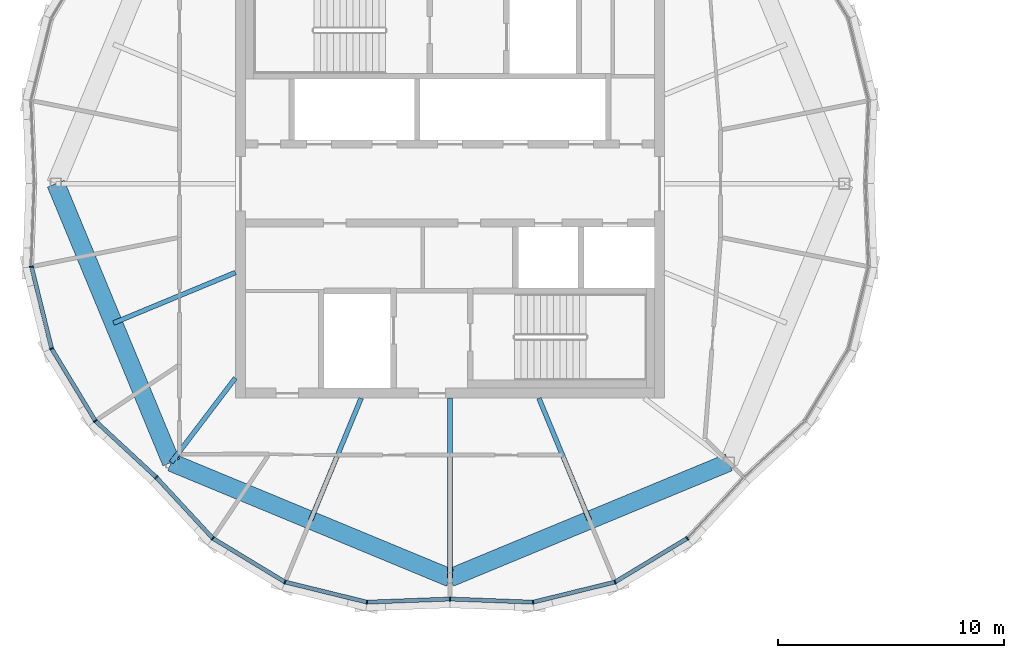
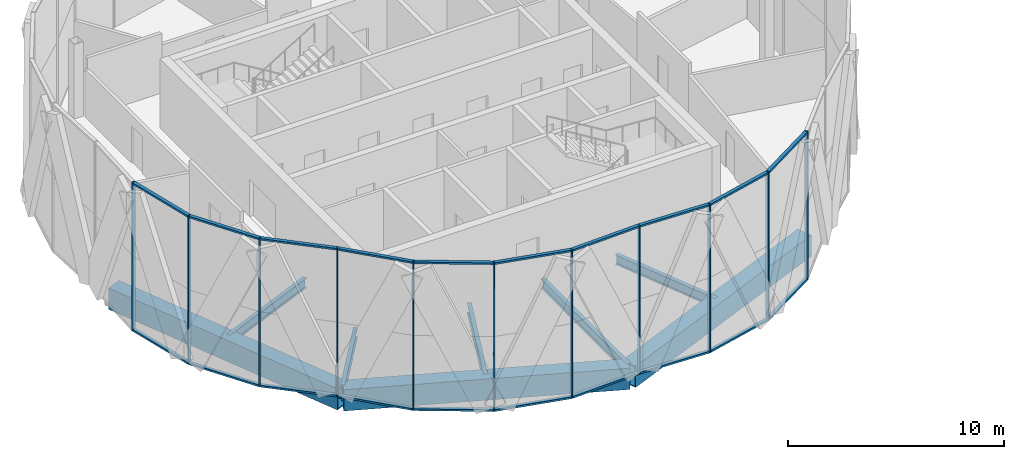
# One storey, part 3 of 22: 31 members, 8 beams, 3 elements without a shape of their own.
"""IFC4 building model written with IfcOpenShell, lengths in metres."""

from ifc_helpers import new_model, si_unit, direction, frame, origin, origin_2d, place, context, subcontext, project, spatial, rectangle, hollow_rectangle, i_section, extrude, material, material_profile, profile_set, type_object, element, aggregate, save


model = new_model("IFC4")

# Units and contexts
model_context = context("Model", 3, precision=1e-05, world=origin(), true_north=direction((0.0, 1.0)))
body_context = subcontext(model_context, "Body", "Model", "MODEL_VIEW")
ifc_project = project(units=[si_unit("LENGTHUNIT", "METRE"), si_unit("AREAUNIT", "SQUARE_METRE"), si_unit("VOLUMEUNIT", "CUBIC_METRE"), si_unit("PLANEANGLEUNIT", "RADIAN"), si_unit("MASSUNIT", "GRAM", prefix="KILO")], contexts=[model_context])

# Site, building, storey
site_placement = place(None, origin())
site = spatial("IfcSite", under=ifc_project, at=site_placement, CompositionType="ELEMENT")
building_placement = place(site_placement, origin())
building = spatial("IfcBuilding", under=site, at=building_placement, Name="Ogive Gate Towers", CompositionType="ELEMENT")
storey_placement = place(building_placement, frame((0.0, 0.0, 285.60009765625)))
storey = spatial("IfcBuildingStorey", under=building, at=storey_placement, Name="L67", CompositionType="ELEMENT", Elevation=285.60009765625)

# Beams
ifc_material_1 = material(Name="Steel SM460", Category="steel")
ifc_material_profile_1 = material_profile(ifc_material_1, hollow_rectangle(XDim=0.800048828125, YDim=1.199951171875, WallThickness=0.050048828125, at=origin_2d()), Name="BX 1200x800x50")
ifc_profile_set_1 = profile_set([ifc_material_profile_1], Name="Steel SM460")
beam_type_1 = type_object("IfcBeamType", Name="Edge girder BX 1200x800x50", PredefinedType="BEAM", material=ifc_profile_set_1)
for number, where, z_axis, x_axis, name in (
    (1, (-48.342529296875, -12.342529296875, -0.900146484375), (0.923876732551, -0.382690191996, 0.0), (0.382690191996, 0.923876732551, 0.0), "T1/L67/SBM017"),
    (2, (-36.0, -17.455078125, -0.900146484375), (0.923876732551, 0.382690191996, 0.0), (-0.382690191996, 0.923876732551, 0.0), "T1/L67/SBM018"),
    (3, (-53.455078125, 0.0, -0.900146484375), (0.382690191996, -0.923876732551, 0.0), (0.923876732551, 0.382690191996, 0.0), "T1/L67/SBM024"),
):
    element("IfcBeam", number, at=place(storey_placement, frame(where, z_axis=z_axis, x_axis=x_axis)), inside=storey, type_object=beam_type_1, Name=name, PredefinedType="BEAM", context=body_context, shape_type="SweptSolid", body=[
        extrude(hollow_rectangle(XDim=0.800048828125, YDim=1.199951171875, WallThickness=0.050048828125, at=origin_2d()), origin(), (0.0, 0.0, 1.0), 13.359619140625),
    ])
ifc_material_2 = material(Name="Steel SM355", Category="steel")
ifc_material_profile_2 = material_profile(ifc_material_2, i_section(OverallWidth=0.2099609375, OverallDepth=0.550048828125, WebThickness=0.010986328125, FlangeThickness=0.01708984375, FilletRadius=0.02392578125, at=origin_2d()), Name="IPE 550")
ifc_profile_set_2 = profile_set([ifc_material_profile_2], Name="Steel SM355")
beam_type_2 = type_object("IfcBeamType", Name="Radial floor beam IPE 550", PredefinedType="BEAM", material=ifc_profile_set_2)
beam_1_placement = place(storey_placement, frame((-45.5, -8.60009765625, -0.5751953125), z_axis=(-0.604851417257, -0.796338347087, 0.0), x_axis=(0.796338347087, -0.604851417257, 0.0)))
element("IfcBeam", 4, at=beam_1_placement, inside=storey, type_object=beam_type_2, Name="T1/L67/SBM001", PredefinedType="BEAM", context=body_context, shape_type="SweptSolid", body=[
    extrude(i_section(OverallWidth=0.2099609375, OverallDepth=0.550048828125, WebThickness=0.010986328125, FlangeThickness=0.01708984375, FilletRadius=0.02392578125, at=origin_2d()), origin(), (0.0, 0.0, 1.0), 4.699462890625),
])
beam_2_placement = place(storey_placement, frame((-39.93505859375, -9.5, -0.5751953125), z_axis=(-0.382701102209, -0.923872213225, 0.0), x_axis=(0.923872213225, -0.382701102209, 0.0)))
element("IfcBeam", 5, at=beam_2_placement, inside=storey, type_object=beam_type_2, Name="T1/L67/SBM002", PredefinedType="BEAM", context=body_context, shape_type="SweptSolid", body=[
    extrude(i_section(OverallWidth=0.2099609375, OverallDepth=0.550048828125, WebThickness=0.010986328125, FlangeThickness=0.01708984375, FilletRadius=0.02392578125, at=origin_2d()), origin(), (0.0, 0.0, 1.0), 5.843505859375),
])
beam_3_placement = place(storey_placement, frame((-36.0, -9.5, -0.5751953125), z_axis=(0.0, -1.0, 0.0), x_axis=(1.0, 0.0, 0.0)))
element("IfcBeam", 6, at=beam_3_placement, inside=storey, type_object=beam_type_2, Name="T1/L67/SBM003", PredefinedType="BEAM", context=body_context, shape_type="SweptSolid", body=[
    extrude(i_section(OverallWidth=0.2099609375, OverallDepth=0.550048828125, WebThickness=0.010986328125, FlangeThickness=0.01708984375, FilletRadius=0.02392578125, at=origin_2d()), origin(), (0.0, 0.0, 1.0), 7.955078125),
])
for number, where, z_axis, x_axis, name in (
    (7, (-32.06494140625, -9.5, -0.5751953125), (0.382701102209, -0.923872213225, 0.0), (0.923872213225, 0.382701102209, 0.0), "T1/L67/SBM004"),
    (8, (-45.5, -3.93505859375, -0.5751953125), (-0.923872213225, -0.382701102209, 0.0), (0.382701102209, -0.923872213225, 0.0), "T1/L67/SBM016"),
):
    element("IfcBeam", number, at=place(storey_placement, frame(where, z_axis=z_axis, x_axis=x_axis)), inside=storey, type_object=beam_type_2, Name=name, PredefinedType="BEAM", context=body_context, shape_type="SweptSolid", body=[
        extrude(i_section(OverallWidth=0.2099609375, OverallDepth=0.550048828125, WebThickness=0.010986328125, FlangeThickness=0.01708984375, FilletRadius=0.02392578125, at=origin_2d()), origin(), (0.0, 0.0, 1.0), 5.843505859375),
    ])

# Curtain wall, members
ifc_material_3 = material(Name="Pale metal aluminium", Category="aluminium")
curtain_wall_type = type_object("IfcCurtainWallType", Name="Tower unitised wall, high zone", PredefinedType="NOTDEFINED", material=ifc_material_3)
curtain_wall_1_placement = place(storey_placement, origin())
curtain_wall_1 = element("IfcCurtainWall", 9, at=curtain_wall_1_placement, inside=storey, type_object=curtain_wall_type, Name="CW2 T1 ECW05", PredefinedType="NOTDEFINED")
ifc_material_profile_3 = material_profile(ifc_material_3, rectangle(XDim=0.179931640625, YDim=0.06005859375, at=origin_2d()), Name="60 x 180 aluminium box")
ifc_profile_set_3 = profile_set([ifc_material_profile_3], Name="Pale metal aluminium")
member_type_1 = type_object("IfcMemberType", Name="Tower unitised wall, high zone mullion 60 x 180", PredefinedType="MULLION", material=ifc_profile_set_3)
member_1_placement = place(storey_placement, frame((-54.529296875, -3.677001953125, -0.300048828125), z_axis=(0.0, 0.0, 1.0), x_axis=(-0.99485068103, -0.101351479779, 0.0)))
member_1 = element("IfcMember", 10, at=member_1_placement, type_object=member_type_1, Name="CW2 mullion", PredefinedType="MULLION", context=body_context, shape_type="SweptSolid", body=[
    extrude(rectangle(XDim=0.179931640625, YDim=0.06005859375, at=origin_2d()), origin(), (0.0, 0.0, 1.0), 8.39990234375),
])
member_2_placement = place(storey_placement, frame((-53.637939453125, -7.305908203125, -0.300048828125), z_axis=(0.0, 0.0, 1.0), x_axis=(-0.923879532511, -0.382683432365, 0.0)))
member_2 = element("IfcMember", 11, at=member_2_placement, type_object=member_type_1, Name="CW2 mullion", PredefinedType="MULLION", context=body_context, shape_type="SweptSolid", body=[
    extrude(rectangle(XDim=0.179931640625, YDim=0.06005859375, at=origin_2d()), origin(), (0.0, 0.0, 1.0), 8.39990234375),
])
member_3_placement = place(storey_placement, frame((-51.7021484375, -10.502197265625, -0.300048828125), z_axis=(0.0, 0.0, 1.0), x_axis=(-0.775120954363, -0.631812872699, 0.0)))
member_3 = element("IfcMember", 12, at=member_3_placement, type_object=member_type_1, Name="CW2 mullion", PredefinedType="MULLION", context=body_context, shape_type="SweptSolid", body=[
    extrude(rectangle(XDim=0.179931640625, YDim=0.06005859375, at=origin_2d()), origin(), (0.0, 0.0, 1.0), 8.39990234375),
])
member_4_placement = place(storey_placement, frame((-49.00390625, -13.00341796875, -0.300048828125), z_axis=(0.0, 0.0, 1.0), x_axis=(-0.679863789608, -0.733338412727, 0.0)))
member_4 = element("IfcMember", 13, at=member_4_placement, type_object=member_type_1, Name="CW2 mullion", PredefinedType="MULLION", context=body_context, shape_type="SweptSolid", body=[
    extrude(rectangle(XDim=0.179931640625, YDim=0.06005859375, at=origin_2d()), origin(), (0.0, 0.0, 1.0), 8.39990234375),
])

curtain_wall_2_placement = place(storey_placement, origin())
curtain_wall_2 = element("IfcCurtainWall", 14, at=curtain_wall_2_placement, inside=storey, type_object=curtain_wall_type, Name="CW2 T1 ECW06", PredefinedType="NOTDEFINED")
member_5_placement = place(storey_placement, frame((-46.502197265625, -15.7021484375, -0.300048828125), z_axis=(0.0, 0.0, 1.0), x_axis=(-0.631812872699, -0.775120954363, 0.0)))
member_5 = element("IfcMember", 15, at=member_5_placement, type_object=member_type_1, Name="CW2 mullion", PredefinedType="MULLION", context=body_context, shape_type="SweptSolid", body=[
    extrude(rectangle(XDim=0.179931640625, YDim=0.06005859375, at=origin_2d()), origin(), (0.0, 0.0, 1.0), 8.39990234375),
])
member_6_placement = place(storey_placement, frame((-43.305908203125, -17.637939453125, -0.300048828125), z_axis=(0.0, 0.0, 1.0), x_axis=(-0.382683432365, -0.923879532511, 0.0)))
member_6 = element("IfcMember", 16, at=member_6_placement, type_object=member_type_1, Name="CW2 mullion", PredefinedType="MULLION", context=body_context, shape_type="SweptSolid", body=[
    extrude(rectangle(XDim=0.179931640625, YDim=0.06005859375, at=origin_2d()), origin(), (0.0, 0.0, 1.0), 8.39990234375),
])
member_7_placement = place(storey_placement, frame((-39.677001953125, -18.529296875, -0.300048828125), z_axis=(0.0, 0.0, 1.0), x_axis=(-0.101351479779, -0.99485068103, 0.0)))
member_7 = element("IfcMember", 17, at=member_7_placement, type_object=member_type_1, Name="CW2 mullion", PredefinedType="MULLION", context=body_context, shape_type="SweptSolid", body=[
    extrude(rectangle(XDim=0.179931640625, YDim=0.06005859375, at=origin_2d()), origin(), (0.0, 0.0, 1.0), 8.39990234375),
])
member_8_placement = place(storey_placement, frame((-36.00048828125, -18.39013671875, -0.300048828125), z_axis=(0.0, 0.0, 1.0), x_axis=(0.037794827812, -0.999285520255, 0.0)))
member_8 = element("IfcMember", 18, at=member_8_placement, type_object=member_type_1, Name="CW2 mullion", PredefinedType="MULLION", context=body_context, shape_type="SweptSolid", body=[
    extrude(rectangle(XDim=0.179931640625, YDim=0.06005859375, at=origin_2d()), origin(), (0.0, 0.0, 1.0), 8.39990234375),
])

curtain_wall_3_placement = place(storey_placement, origin())
curtain_wall_3 = element("IfcCurtainWall", 19, at=curtain_wall_3_placement, inside=storey, type_object=curtain_wall_type, Name="CW2 T1 ECW07", PredefinedType="NOTDEFINED")
member_9_placement = place(storey_placement, frame((-32.322998046875, -18.529296875, -0.300048828125), z_axis=(0.0, 0.0, 1.0), x_axis=(0.101351479779, -0.99485068103, 0.0)))
member_9 = element("IfcMember", 20, at=member_9_placement, type_object=member_type_1, Name="CW2 mullion", PredefinedType="MULLION", context=body_context, shape_type="SweptSolid", body=[
    extrude(rectangle(XDim=0.179931640625, YDim=0.06005859375, at=origin_2d()), origin(), (0.0, 0.0, 1.0), 8.39990234375),
])
member_10_placement = place(storey_placement, frame((-28.694091796875, -17.637939453125, -0.300048828125), z_axis=(0.0, 0.0, 1.0), x_axis=(0.382683432365, -0.923879532511, 0.0)))
member_10 = element("IfcMember", 21, at=member_10_placement, type_object=member_type_1, Name="CW2 mullion", PredefinedType="MULLION", context=body_context, shape_type="SweptSolid", body=[
    extrude(rectangle(XDim=0.179931640625, YDim=0.06005859375, at=origin_2d()), origin(), (0.0, 0.0, 1.0), 8.39990234375),
])
member_11_placement = place(storey_placement, frame((-25.497802734375, -15.7021484375, -0.300048828125), z_axis=(0.0, 0.0, 1.0), x_axis=(0.631812872699, -0.775120954363, 0.0)))
member_11 = element("IfcMember", 22, at=member_11_placement, type_object=member_type_1, Name="CW2 mullion", PredefinedType="MULLION", context=body_context, shape_type="SweptSolid", body=[
    extrude(rectangle(XDim=0.179931640625, YDim=0.06005859375, at=origin_2d()), origin(), (0.0, 0.0, 1.0), 8.39990234375),
])

# Member
ifc_material_profile_4 = material_profile(ifc_material_3, rectangle(XDim=0.179931640625, YDim=0.10009765625, at=origin_2d()), Name="100 x 180 aluminium box")
ifc_profile_set_4 = profile_set([ifc_material_profile_4], Name="Pale metal aluminium")
member_type_2 = type_object("IfcMemberType", Name="Tower unitised wall, high zone transom 100 x 180", PredefinedType="USERDEFINED", material=ifc_profile_set_4)
member_12_placement = place(storey_placement, frame((-54.522216796875, -3.70458984375, 8.0498046875), z_axis=(0.238506074242, -0.971141005493, 0.0), x_axis=(0.971141005493, 0.238506074242, 0.0)))
member_12 = element("IfcMember", 23, at=member_12_placement, type_object=member_type_2, Name="CW2 transom", ObjectType="TRANSOM", PredefinedType="USERDEFINED", context=body_context, shape_type="SweptSolid", body=[
    extrude(rectangle(XDim=0.179931640625, YDim=0.10009765625, at=origin_2d()), origin(), (0.0, 0.0, 1.0), 3.679931640625),
])

member_13_placement = place(storey_placement, frame((-54.522216796875, -3.70458984375, -0.25), z_axis=(0.238506074242, -0.971141005493, 0.0), x_axis=(0.971141005493, 0.238506074242, 0.0)))
member_13 = element("IfcMember", 24, at=member_13_placement, type_object=member_type_2, Name="CW2 transom", ObjectType="TRANSOM", PredefinedType="USERDEFINED", context=body_context, shape_type="SweptSolid", body=[
    extrude(rectangle(XDim=0.179931640625, YDim=0.10009765625, at=origin_2d()), origin(), (0.0, 0.0, 1.0), 3.679931640625),
])

member_14_placement = place(storey_placement, frame((-53.623046875, -7.330078125, 8.0498046875), z_axis=(0.518013498205, -0.855372442669, 0.0), x_axis=(0.855372442669, 0.518013498205, 0.0)))
member_14 = element("IfcMember", 25, at=member_14_placement, type_object=member_type_2, Name="CW2 transom", ObjectType="TRANSOM", PredefinedType="USERDEFINED", context=body_context, shape_type="SweptSolid", body=[
    extrude(rectangle(XDim=0.179931640625, YDim=0.10009765625, at=origin_2d()), origin(), (0.0, 0.0, 1.0), 3.679931640625),
])

member_15_placement = place(storey_placement, frame((-53.623046875, -7.330078125, -0.25), z_axis=(0.518013498205, -0.855372442669, 0.0), x_axis=(0.855372442669, 0.518013498205, 0.0)))
member_15 = element("IfcMember", 26, at=member_15_placement, type_object=member_type_2, Name="CW2 transom", ObjectType="TRANSOM", PredefinedType="USERDEFINED", context=body_context, shape_type="SweptSolid", body=[
    extrude(rectangle(XDim=0.179931640625, YDim=0.10009765625, at=origin_2d()), origin(), (0.0, 0.0, 1.0), 3.679931640625),
])

member_16_placement = place(storey_placement, frame((-51.68115234375, -10.521484375, 8.0498046875), z_axis=(0.733335999654, -0.679866392471, 0.0), x_axis=(0.679866392471, 0.733335999654, 0.0)))
member_16 = element("IfcMember", 27, at=member_16_placement, type_object=member_type_2, Name="CW2 transom", ObjectType="TRANSOM", PredefinedType="USERDEFINED", context=body_context, shape_type="SweptSolid", body=[
    extrude(rectangle(XDim=0.179931640625, YDim=0.10009765625, at=origin_2d()), origin(), (0.0, 0.0, 1.0), 3.620849609375),
])

member_17_placement = place(storey_placement, frame((-51.68115234375, -10.521484375, -0.25), z_axis=(0.733335999654, -0.679866392471, 0.0), x_axis=(0.679866392471, 0.733335999654, 0.0)))
member_17 = element("IfcMember", 28, at=member_17_placement, type_object=member_type_2, Name="CW2 transom", ObjectType="TRANSOM", PredefinedType="USERDEFINED", context=body_context, shape_type="SweptSolid", body=[
    extrude(rectangle(XDim=0.179931640625, YDim=0.10009765625, at=origin_2d()), origin(), (0.0, 0.0, 1.0), 3.620849609375),
])

aggregate(curtain_wall_1, [member_1, member_2, member_12, member_13, member_3, member_14, member_15, member_4, member_16, member_17])

member_18_placement = place(storey_placement, frame((-48.983154296875, -13.02587890625, 8.0498046875), z_axis=(0.679866392471, -0.733335999654, 0.0), x_axis=(0.733335999654, 0.679866392471, 0.0)))
member_18 = element("IfcMember", 29, at=member_18_placement, type_object=member_type_2, Name="CW2 transom", ObjectType="TRANSOM", PredefinedType="USERDEFINED", context=body_context, shape_type="SweptSolid", body=[
    extrude(rectangle(XDim=0.179931640625, YDim=0.10009765625, at=origin_2d()), origin(), (0.0, 0.0, 1.0), 3.620849609375),
])

member_19_placement = place(storey_placement, frame((-48.983154296875, -13.02587890625, -0.25), z_axis=(0.679866392471, -0.733335999654, 0.0), x_axis=(0.733335999654, 0.679866392471, 0.0)))
member_19 = element("IfcMember", 30, at=member_19_placement, type_object=member_type_2, Name="CW2 transom", ObjectType="TRANSOM", PredefinedType="USERDEFINED", context=body_context, shape_type="SweptSolid", body=[
    extrude(rectangle(XDim=0.179931640625, YDim=0.10009765625, at=origin_2d()), origin(), (0.0, 0.0, 1.0), 3.620849609375),
])

member_20_placement = place(storey_placement, frame((-46.477783203125, -15.716796875, 8.0498046875), z_axis=(0.855372442669, -0.518013498205, 0.0), x_axis=(0.518013498205, 0.855372442669, 0.0)))
member_20 = element("IfcMember", 31, at=member_20_placement, type_object=member_type_2, Name="CW2 transom", ObjectType="TRANSOM", PredefinedType="USERDEFINED", context=body_context, shape_type="SweptSolid", body=[
    extrude(rectangle(XDim=0.179931640625, YDim=0.10009765625, at=origin_2d()), origin(), (0.0, 0.0, 1.0), 3.679931640625),
])

member_21_placement = place(storey_placement, frame((-46.477783203125, -15.716796875, -0.25), z_axis=(0.855372442669, -0.518013498205, 0.0), x_axis=(0.518013498205, 0.855372442669, 0.0)))
member_21 = element("IfcMember", 32, at=member_21_placement, type_object=member_type_2, Name="CW2 transom", ObjectType="TRANSOM", PredefinedType="USERDEFINED", context=body_context, shape_type="SweptSolid", body=[
    extrude(rectangle(XDim=0.179931640625, YDim=0.10009765625, at=origin_2d()), origin(), (0.0, 0.0, 1.0), 3.679931640625),
])

member_22_placement = place(storey_placement, frame((-43.2783203125, -17.64453125, 8.0498046875), z_axis=(0.971141005493, -0.238506074242, 0.0), x_axis=(0.238506074242, 0.971141005493, 0.0)))
member_22 = element("IfcMember", 33, at=member_22_placement, type_object=member_type_2, Name="CW2 transom", ObjectType="TRANSOM", PredefinedType="USERDEFINED", context=body_context, shape_type="SweptSolid", body=[
    extrude(rectangle(XDim=0.179931640625, YDim=0.10009765625, at=origin_2d()), origin(), (0.0, 0.0, 1.0), 3.679931640625),
])

member_23_placement = place(storey_placement, frame((-43.2783203125, -17.64453125, -0.25), z_axis=(0.971141005493, -0.238506074242, 0.0), x_axis=(0.238506074242, 0.971141005493, 0.0)))
member_23 = element("IfcMember", 34, at=member_23_placement, type_object=member_type_2, Name="CW2 transom", ObjectType="TRANSOM", PredefinedType="USERDEFINED", context=body_context, shape_type="SweptSolid", body=[
    extrude(rectangle(XDim=0.179931640625, YDim=0.10009765625, at=origin_2d()), origin(), (0.0, 0.0, 1.0), 3.679931640625),
])

member_24_placement = place(storey_placement, frame((-39.648193359375, -18.528076171875, 8.0498046875), z_axis=(0.999284103916, 0.03783225687, 0.0), x_axis=(-0.03783225687, 0.999284103916, 0.0)))
member_24 = element("IfcMember", 35, at=member_24_placement, type_object=member_type_2, Name="CW2 transom", ObjectType="TRANSOM", PredefinedType="USERDEFINED", context=body_context, shape_type="SweptSolid", body=[
    extrude(rectangle(XDim=0.179931640625, YDim=0.10009765625, at=origin_2d()), origin(), (0.0, 0.0, 1.0), 3.620361328125),
])

member_25_placement = place(storey_placement, frame((-39.648193359375, -18.528076171875, -0.25), z_axis=(0.999284103916, 0.03783225687, 0.0), x_axis=(-0.03783225687, 0.999284103916, 0.0)))
member_25 = element("IfcMember", 36, at=member_25_placement, type_object=member_type_2, Name="CW2 transom", ObjectType="TRANSOM", PredefinedType="USERDEFINED", context=body_context, shape_type="SweptSolid", body=[
    extrude(rectangle(XDim=0.179931640625, YDim=0.10009765625, at=origin_2d()), origin(), (0.0, 0.0, 1.0), 3.620361328125),
])

aggregate(curtain_wall_2, [member_5, member_18, member_19, member_6, member_20, member_21, member_7, member_22, member_23, member_8, member_24, member_25])

member_26_placement = place(storey_placement, frame((-35.969482421875, -18.39111328125, 8.0498046875), z_axis=(0.999284103916, -0.03783225687, 0.0), x_axis=(0.03783225687, 0.999284103916, 0.0)))
member_26 = element("IfcMember", 37, at=member_26_placement, type_object=member_type_2, Name="CW2 transom", ObjectType="TRANSOM", PredefinedType="USERDEFINED", context=body_context, shape_type="SweptSolid", body=[
    extrude(rectangle(XDim=0.179931640625, YDim=0.10009765625, at=origin_2d()), origin(), (0.0, 0.0, 1.0), 3.620361328125),
])

member_27_placement = place(storey_placement, frame((-35.969482421875, -18.39111328125, -0.25), z_axis=(0.999284103916, -0.03783225687, 0.0), x_axis=(0.03783225687, 0.999284103916, 0.0)))
member_27 = element("IfcMember", 38, at=member_27_placement, type_object=member_type_2, Name="CW2 transom", ObjectType="TRANSOM", PredefinedType="USERDEFINED", context=body_context, shape_type="SweptSolid", body=[
    extrude(rectangle(XDim=0.179931640625, YDim=0.10009765625, at=origin_2d()), origin(), (0.0, 0.0, 1.0), 3.620361328125),
])

member_28_placement = place(storey_placement, frame((-32.29541015625, -18.522216796875, 8.0498046875), z_axis=(0.971141005493, 0.238506074242, 0.0), x_axis=(-0.238506074242, 0.971141005493, 0.0)))
member_28 = element("IfcMember", 39, at=member_28_placement, type_object=member_type_2, Name="CW2 transom", ObjectType="TRANSOM", PredefinedType="USERDEFINED", context=body_context, shape_type="SweptSolid", body=[
    extrude(rectangle(XDim=0.179931640625, YDim=0.10009765625, at=origin_2d()), origin(), (0.0, 0.0, 1.0), 3.679931640625),
])

member_29_placement = place(storey_placement, frame((-32.29541015625, -18.522216796875, -0.25), z_axis=(0.971141005493, 0.238506074242, 0.0), x_axis=(-0.238506074242, 0.971141005493, 0.0)))
member_29 = element("IfcMember", 40, at=member_29_placement, type_object=member_type_2, Name="CW2 transom", ObjectType="TRANSOM", PredefinedType="USERDEFINED", context=body_context, shape_type="SweptSolid", body=[
    extrude(rectangle(XDim=0.179931640625, YDim=0.10009765625, at=origin_2d()), origin(), (0.0, 0.0, 1.0), 3.679931640625),
])

member_30_placement = place(storey_placement, frame((-28.669921875, -17.623046875, 8.0498046875), z_axis=(0.855372442669, 0.518013498205, 0.0), x_axis=(-0.518013498205, 0.855372442669, 0.0)))
member_30 = element("IfcMember", 41, at=member_30_placement, type_object=member_type_2, Name="CW2 transom", ObjectType="TRANSOM", PredefinedType="USERDEFINED", context=body_context, shape_type="SweptSolid", body=[
    extrude(rectangle(XDim=0.179931640625, YDim=0.10009765625, at=origin_2d()), origin(), (0.0, 0.0, 1.0), 3.679931640625),
])

member_31_placement = place(storey_placement, frame((-28.669921875, -17.623046875, -0.25), z_axis=(0.855372442669, 0.518013498205, 0.0), x_axis=(-0.518013498205, 0.855372442669, 0.0)))
member_31 = element("IfcMember", 42, at=member_31_placement, type_object=member_type_2, Name="CW2 transom", ObjectType="TRANSOM", PredefinedType="USERDEFINED", context=body_context, shape_type="SweptSolid", body=[
    extrude(rectangle(XDim=0.179931640625, YDim=0.10009765625, at=origin_2d()), origin(), (0.0, 0.0, 1.0), 3.679931640625),
])

aggregate(curtain_wall_3, [member_9, member_26, member_27, member_10, member_28, member_29, member_11, member_30, member_31])

save(model, "model.ifc")
